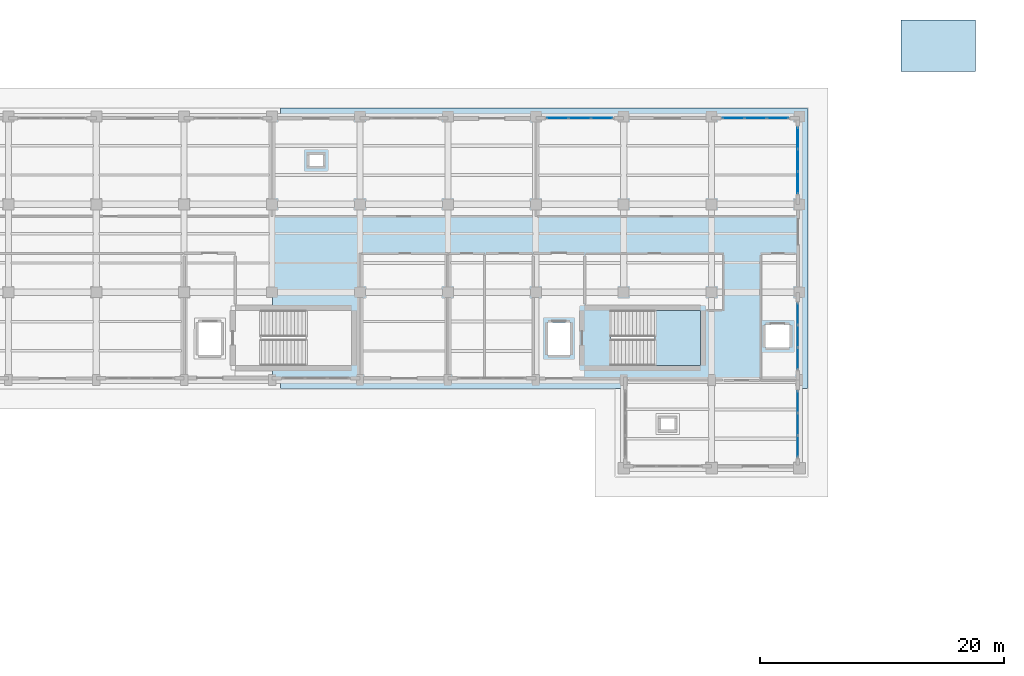
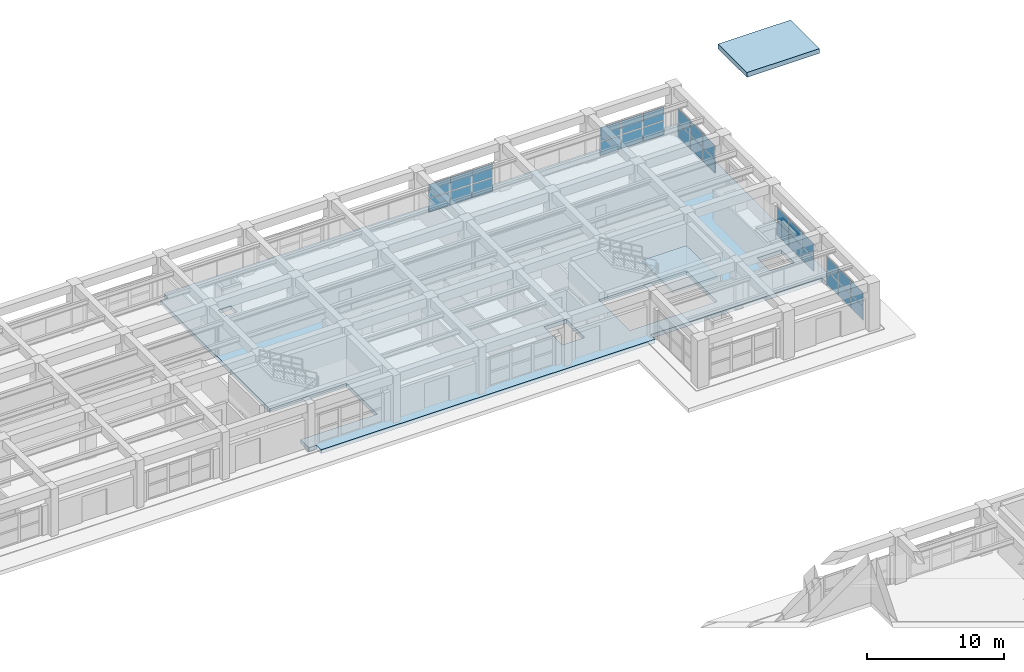
# One storey, part 39 of 64: 30 plates, 3 slabs, 6 elements without a shape of their own.
"""IFC4 building model written with IfcOpenShell, lengths in metres."""

import ifcopenshell
import ifcopenshell.guid

model = None  # the IFC model being written
_history = None  # IfcOwnerHistory: only IFC2X3 demands one
_inside = {}  # id of a spatial element -> (the spatial element, [elements in it])
_under = {}  # id of a project, library or spatial element -> (it, [spatial elements below it])
_declared = {}  # id of a project -> (the project, [libraries it declares])
_typed = {}  # id of a type object -> (the type object, [elements of that type])
_made_of = {}  # id of a material, layer set ... -> (it, [elements and type objects made of it])


def new_model(schema):
    """Start an empty IFC model of exactly this schema.

    Asked for "IFC4X3", IfcOpenShell would pick the latest addendum, in which some entities
    have other attributes; the version numbers below select the first issue.
    IFC2X3 requires an IfcOwnerHistory on every rooted entity: one is made here for all.
    """
    global model, _history
    if schema == "IFC4X3":
        model = ifcopenshell.file(schema_version=(4, 3, 0, 0))
    else:
        model = ifcopenshell.file(schema=schema)
    _inside.clear()
    _under.clear()
    _declared.clear()
    _typed.clear()
    _made_of.clear()
    _history = None
    if model.schema == "IFC2X3":
        org = make("IfcOrganization", Name="unknown")
        user = make(
            "IfcPersonAndOrganization",
            ThePerson=make("IfcPerson", FamilyName="unknown"),
            TheOrganization=org,
        )
        app = make(
            "IfcApplication",
            ApplicationDeveloper=org,
            Version="unknown",
            ApplicationFullName="unknown",
            ApplicationIdentifier="unknown",
        )
        _history = make(
            "IfcOwnerHistory",
            OwningUser=user,
            OwningApplication=app,
            ChangeAction="ADDED",
            CreationDate=0,
        )
    return model


def make(cls, **values):
    """One entity of the class cls with the attributes given. An attribute that is None is left unset."""
    return model.create_entity(
        cls, **{name: value for name, value in values.items() if value is not None}
    )


def rooted(cls, **values):
    """An entity with a GlobalId (a new one), such as an element, a storey or a relation."""
    return make(cls, GlobalId=ifcopenshell.guid.new(), OwnerHistory=_history, **values)


def si_unit(unit_type, name, prefix=None):
    """IfcSIUnit, for example si_unit("LENGTHUNIT", "METRE", prefix="MILLI")."""
    return make("IfcSIUnit", UnitType=unit_type, Prefix=prefix, Name=name)


def assignment(units):
    """IfcUnitAssignment: the units of a project."""
    return None if units is None else make("IfcUnitAssignment", Units=units)


def point(xyz):
    """IfcCartesianPoint."""
    return None if xyz is None else make("IfcCartesianPoint", Coordinates=xyz)


def direction(xyz):
    """IfcDirection."""
    return None if xyz is None else make("IfcDirection", DirectionRatios=xyz)


def frame(location, z_axis=None, x_axis=None):
    """IfcAxis2Placement3D, a coordinate frame: its origin and axes. An axis left out is left unset."""
    return make(
        "IfcAxis2Placement3D",
        Location=point(location),
        Axis=direction(z_axis),
        RefDirection=direction(x_axis),
    )


def frame_2d(location, x_axis=None):
    """IfcAxis2Placement2D, a coordinate frame in the plane: its origin and x axis."""
    return make(
        "IfcAxis2Placement2D", Location=point(location), RefDirection=direction(x_axis)
    )


def origin():
    """The frame at (0, 0, 0) with its axes left unset."""
    return frame((0.0, 0.0, 0.0))


def origin_2d():
    """The frame at (0, 0) in the plane with its x axis left unset."""
    return frame_2d((0.0, 0.0))


def place(relative_to, where):
    """IfcLocalPlacement: puts the frame where relative to a parent placement (None: the world)."""
    return make(
        "IfcLocalPlacement", PlacementRelTo=relative_to, RelativePlacement=where
    )


def context(
    kind, dimensions, precision=None, world=None, true_north=None, identifier=None
):
    """IfcGeometricRepresentationContext, for example the 3D "Model" context."""
    return make(
        "IfcGeometricRepresentationContext",
        ContextIdentifier=identifier,
        ContextType=kind,
        CoordinateSpaceDimension=dimensions,
        Precision=precision,
        WorldCoordinateSystem=world,
        TrueNorth=true_north,
    )


def subcontext(parent, identifier, kind, view, scale=None):
    """IfcGeometricRepresentationSubContext, for example "Body" below "Model"."""
    return make(
        "IfcGeometricRepresentationSubContext",
        ContextIdentifier=identifier,
        ContextType=kind,
        ParentContext=parent,
        TargetScale=scale,
        TargetView=view,
    )


def project(units=None, contexts=None):
    """IfcProject with its units and contexts."""
    return rooted(
        "IfcProject",
        Name="project",
        RepresentationContexts=contexts,
        UnitsInContext=assignment(units),
    )


def spatial(cls, under=None, at=None, **own):
    """A site, building, storey or space (cls), placed at a placement, below another one or the project."""
    s = rooted(cls, ObjectPlacement=at, **own)
    if under is not None:
        _under.setdefault(under.id(), (under, []))[1].append(s)
    return s


def polyline(points):
    """IfcPolyline through the points."""
    return make("IfcPolyline", Points=[point(p) for p in points])


def profile(cls, at=None, kind="AREA", **sizes):
    """A parametric profile (cls). Its sizes go by their IFC names, for example OverallWidth=200.0."""
    return make(cls, ProfileType=kind, Position=at, **sizes)


def rectangle(**sizes):
    """IfcRectangleProfileDef."""
    return profile("IfcRectangleProfileDef", **sizes)


def outline(outer, holes=None, kind="AREA"):
    """IfcArbitraryClosedProfileDef: a profile drawn as a closed curve; with holes, ...WithVoids."""
    if holes is None:
        return make("IfcArbitraryClosedProfileDef", ProfileType=kind, OuterCurve=outer)
    return make(
        "IfcArbitraryProfileDefWithVoids",
        ProfileType=kind,
        OuterCurve=outer,
        InnerCurves=holes,
    )


def extrude(swept, where, along, depth):
    """IfcExtrudedAreaSolid: the profile swept, set in the frame where, extruded along a direction by depth."""
    return make(
        "IfcExtrudedAreaSolid",
        SweptArea=swept,
        Position=where,
        ExtrudedDirection=direction(along),
        Depth=depth,
    )


def shape(context_of_items, identifier, shape_type, items):
    """IfcShapeRepresentation: the items that make up one representation, for example the "Body"."""
    return make(
        "IfcShapeRepresentation",
        ContextOfItems=context_of_items,
        RepresentationIdentifier=identifier,
        RepresentationType=shape_type,
        Items=items,
    )


def material(Name=None, Category=None):
    """IfcMaterial."""
    return make("IfcMaterial", Name=Name, Category=Category)


def layer(
    of_material, thickness, ventilated=None, Name=None, Category=None, Priority=None
):
    """IfcMaterialLayer: one layer of a wall or slab, of a material (None: an air gap)."""
    return make(
        "IfcMaterialLayer",
        Material=of_material,
        LayerThickness=thickness,
        IsVentilated=ventilated,
        Name=Name,
        Category=Category,
        Priority=Priority,
    )


def layer_set(layers, Name=None):
    """IfcMaterialLayerSet."""
    return make("IfcMaterialLayerSet", MaterialLayers=layers, LayerSetName=Name)


def made_of(thing, what):
    """Note that an element or type object is made of a material, layer set ...; save() writes the relation."""
    if what is not None:
        _made_of.setdefault(what.id(), (what, []))[1].append(thing)
    return thing


def type_object(cls, material=None, **own):
    """A type object (cls), such as IfcWallType, which elements share."""
    return made_of(rooted(cls, **own), material)


def element(
    cls,
    number,
    at=None,
    inside=None,
    cuts=None,
    type_object=None,
    material=None,
    context=None,
    identifier="Body",
    shape_type=None,
    held_by="IfcProductDefinitionShape",
    body=None,
    shapes=None,
    **own,
):
    """One element of the class cls, such as IfcWall. Its Tag is "e" and its number.

    at: its placement. inside: the storey or other place that contains it. cuts: it is an
    opening in that element (IfcRelVoidsElement). A single representation is given by context,
    identifier, shape_type and body (its items); several are given by shapes. held_by: the class
    of the entity that holds the representations. save() writes the other relations.
    """
    e = rooted(cls, Tag="e%d" % number, ObjectPlacement=at, **own)
    if body is not None:
        shapes = [shape(context, identifier, shape_type, body)]
    if shapes is not None:
        e.Representation = make(held_by, Representations=shapes)
    if inside is not None:
        _inside.setdefault(inside.id(), (inside, []))[1].append(e)
    if cuts is not None:
        rooted(
            "IfcRelVoidsElement", RelatingBuildingElement=cuts, RelatedOpeningElement=e
        )
    if type_object is not None:
        _typed.setdefault(type_object.id(), (type_object, []))[1].append(e)
    return made_of(e, material)


def aggregate(whole, parts):
    """IfcRelAggregates: a whole, such as a stair, and the parts it consists of."""
    return rooted("IfcRelAggregates", RelatingObject=whole, RelatedObjects=parts)


def save(model, path):
    """Write the relations noted so far, then the file.

    IfcRelAggregates (storeys below a building ...), IfcRelContainedInSpatialStructure (elements
    in a storey), IfcRelDefinesByType, IfcRelAssociatesMaterial and IfcRelDeclares: one each for
    every whole, place, type object, material and project.
    """
    for whole, parts in _under.values():
        aggregate(whole, parts)
    for where, things in _inside.values():
        rooted(
            "IfcRelContainedInSpatialStructure",
            RelatedElements=things,
            RelatingStructure=where,
        )
    for kind, things in _typed.values():
        rooted("IfcRelDefinesByType", RelatedObjects=things, RelatingType=kind)
    for what, things in _made_of.values():
        rooted("IfcRelAssociatesMaterial", RelatedObjects=things, RelatingMaterial=what)
    for by, libraries in _declared.values():
        rooted("IfcRelDeclares", RelatingContext=by, RelatedDefinitions=libraries)
    model.write(path)


model = new_model("IFC4")

# Units and contexts
model_context = context("Model", 3, precision=1e-05, world=origin(), true_north=direction((0.0, 1.0)))
body_context = subcontext(model_context, "Body", "Model", "MODEL_VIEW")
ifc_project = project(units=[si_unit("LENGTHUNIT", "METRE"), si_unit("AREAUNIT", "SQUARE_METRE"), si_unit("VOLUMEUNIT", "CUBIC_METRE"), si_unit("PLANEANGLEUNIT", "RADIAN"), si_unit("MASSUNIT", "GRAM", prefix="KILO")], contexts=[model_context])

# Site, building, storey
site_placement = place(None, origin())
site = spatial("IfcSite", under=ifc_project, at=site_placement, CompositionType="ELEMENT")
building_placement = place(site_placement, origin())
building = spatial("IfcBuilding", under=site, at=building_placement, Name="Solenvale Faculty of Natural Sciences", CompositionType="ELEMENT")
storey_placement = place(building_placement, origin())
storey = spatial("IfcBuildingStorey", under=building, at=storey_placement, Name="L00", CompositionType="ELEMENT", Elevation=0.0)

# Curtain wall, plates
ifc_material_1 = material(Name="Anodised bronze aluminium", Category="aluminium")
ifc_layer_1 = layer(ifc_material_1, 0.179931640625)
ifc_layer_set_1 = layer_set([ifc_layer_1], Name="Anodised bronze aluminium")
curtain_wall_type = type_object("IfcCurtainWallType", Name="CW-TWR-MOD", PredefinedType="USERDEFINED", material=ifc_layer_set_1)
curtain_wall_1_placement = place(storey_placement, origin())
curtain_wall_1 = element("IfcCurtainWall", 1, at=curtain_wall_1_placement, inside=storey, type_object=curtain_wall_type, Name="L00 Curtain Wall CW-L00-P1-E15-B1", ObjectType="UNITISED CURTAIN WALL", PredefinedType="USERDEFINED")
ifc_material_2 = material(Name="Triple low-E insulated glass", Category="glass")
ifc_layer_2 = layer(ifc_material_2, 0.031982421875)
ifc_layer_set_2 = layer_set([ifc_layer_2], Name="Triple low-E insulated glass")
plate_type_1 = type_object("IfcPlateType", Name="CWP-PNL-32", PredefinedType="CURTAIN_PANEL", material=ifc_layer_set_2)
plate_1_placement = place(storey_placement, frame((151.0576171875, 88.185302734375, 0.074951171875), z_axis=(0.0, 0.0, 1.0), x_axis=(0.0, 1.0, 0.0)))
plate_1 = element("IfcPlate", 2, at=plate_1_placement, type_object=plate_type_1, Name="CW-04 panel 1.1", PredefinedType="CURTAIN_PANEL", context=body_context, shape_type="SweptSolid", body=[
    extrude(rectangle(XDim=1.720947265625, YDim=0.031982421875, at=origin_2d()), origin(), (0.0, 0.0, 1.0), 1.1875),
])
plate_2_placement = place(storey_placement, frame((151.0576171875, 88.185302734375, 1.33740234375), z_axis=(0.0, 0.0, 1.0), x_axis=(0.0, 1.0, 0.0)))
plate_2 = element("IfcPlate", 3, at=plate_2_placement, type_object=plate_type_1, Name="CW-04 panel 1.2", PredefinedType="CURTAIN_PANEL", context=body_context, shape_type="SweptSolid", body=[
    extrude(rectangle(XDim=1.720947265625, YDim=0.031982421875, at=origin_2d()), origin(), (0.0, 0.0, 1.0), 1.1875),
])
plate_3_placement = place(storey_placement, frame((151.0576171875, 90.0, 0.074951171875), z_axis=(0.0, 0.0, 1.0), x_axis=(0.0, 1.0, 0.0)))
plate_3 = element("IfcPlate", 4, at=plate_3_placement, type_object=plate_type_1, Name="CW-04 panel 2.1", PredefinedType="CURTAIN_PANEL", context=body_context, shape_type="SweptSolid", body=[
    extrude(rectangle(XDim=1.75830078125, YDim=0.031982421875, at=origin_2d()), origin(), (0.0, 0.0, 1.0), 1.1875),
])
plate_4_placement = place(storey_placement, frame((151.0576171875, 90.0, 1.33740234375), z_axis=(0.0, 0.0, 1.0), x_axis=(0.0, 1.0, 0.0)))
plate_4 = element("IfcPlate", 5, at=plate_4_placement, type_object=plate_type_1, Name="CW-04 panel 2.2", PredefinedType="CURTAIN_PANEL", context=body_context, shape_type="SweptSolid", body=[
    extrude(rectangle(XDim=1.75830078125, YDim=0.031982421875, at=origin_2d()), origin(), (0.0, 0.0, 1.0), 1.1875),
])
plate_5_placement = place(storey_placement, frame((151.0576171875, 91.814697265625, 0.074951171875), z_axis=(0.0, 0.0, 1.0), x_axis=(0.0, 1.0, 0.0)))
plate_5 = element("IfcPlate", 6, at=plate_5_placement, type_object=plate_type_1, Name="CW-04 panel 3.1", PredefinedType="CURTAIN_PANEL", context=body_context, shape_type="SweptSolid", body=[
    extrude(rectangle(XDim=1.720947265625, YDim=0.031982421875, at=origin_2d()), origin(), (0.0, 0.0, 1.0), 1.1875),
])
plate_6_placement = place(storey_placement, frame((151.0576171875, 91.814697265625, 1.33740234375), z_axis=(0.0, 0.0, 1.0), x_axis=(0.0, 1.0, 0.0)))
plate_6 = element("IfcPlate", 7, at=plate_6_placement, type_object=plate_type_1, Name="CW-04 panel 3.2", PredefinedType="CURTAIN_PANEL", context=body_context, shape_type="SweptSolid", body=[
    extrude(rectangle(XDim=1.720947265625, YDim=0.031982421875, at=origin_2d()), origin(), (0.0, 0.0, 1.0), 1.1875),
])
aggregate(curtain_wall_1, [plate_1, plate_2, plate_3, plate_4, plate_5, plate_6])

curtain_wall_2_placement = place(storey_placement, origin())
curtain_wall_2 = element("IfcCurtainWall", 8, at=curtain_wall_2_placement, inside=storey, type_object=curtain_wall_type, Name="L00 Curtain Wall CW-L00-P1-E16-B1", ObjectType="UNITISED CURTAIN WALL", PredefinedType="USERDEFINED")
ifc_layer_3 = layer(ifc_material_2, 0.035888671875)
ifc_layer_set_3 = layer_set([ifc_layer_3], Name="Triple low-E insulated glass")
plate_type_2 = type_object("IfcPlateType", Name="CWP-PNL-36", PredefinedType="CURTAIN_PANEL", material=ifc_layer_set_3)
plate_7_placement = place(storey_placement, frame((151.0576171875, 95.385498046875, 0.074951171875), z_axis=(0.0, 0.0, 1.0), x_axis=(0.0, 1.0, 0.0)))
plate_7 = element("IfcPlate", 9, at=plate_7_placement, type_object=plate_type_2, Name="CW-04 panel 1.1", PredefinedType="CURTAIN_PANEL", context=body_context, shape_type="SweptSolid", body=[
    extrude(rectangle(XDim=1.720947265625, YDim=0.035888671875, at=origin_2d()), origin(), (0.0, 0.0, 1.0), 1.1875),
])
plate_8_placement = place(storey_placement, frame((151.0576171875, 95.385498046875, 1.33740234375), z_axis=(0.0, 0.0, 1.0), x_axis=(0.0, 1.0, 0.0)))
plate_8 = element("IfcPlate", 10, at=plate_8_placement, type_object=plate_type_2, Name="CW-04 panel 1.2", PredefinedType="CURTAIN_PANEL", context=body_context, shape_type="SweptSolid", body=[
    extrude(rectangle(XDim=1.720947265625, YDim=0.035888671875, at=origin_2d()), origin(), (0.0, 0.0, 1.0), 1.1875),
])
plate_9_placement = place(storey_placement, frame((151.0576171875, 97.199951171875, 0.074951171875), z_axis=(0.0, 0.0, 1.0), x_axis=(0.0, 1.0, 0.0)))
plate_9 = element("IfcPlate", 11, at=plate_9_placement, type_object=plate_type_2, Name="CW-04 panel 2.1", PredefinedType="CURTAIN_PANEL", context=body_context, shape_type="SweptSolid", body=[
    extrude(rectangle(XDim=1.75830078125, YDim=0.035888671875, at=origin_2d()), origin(), (0.0, 0.0, 1.0), 1.1875),
])
plate_10_placement = place(storey_placement, frame((151.0576171875, 97.199951171875, 1.33740234375), z_axis=(0.0, 0.0, 1.0), x_axis=(0.0, 1.0, 0.0)))
plate_10 = element("IfcPlate", 12, at=plate_10_placement, type_object=plate_type_2, Name="CW-04 panel 2.2", PredefinedType="CURTAIN_PANEL", context=body_context, shape_type="SweptSolid", body=[
    extrude(rectangle(XDim=1.75830078125, YDim=0.035888671875, at=origin_2d()), origin(), (0.0, 0.0, 1.0), 1.1875),
])
plate_11_placement = place(storey_placement, frame((151.0576171875, 99.0146484375, 0.074951171875), z_axis=(0.0, 0.0, 1.0), x_axis=(0.0, 1.0, 0.0)))
plate_11 = element("IfcPlate", 13, at=plate_11_placement, type_object=plate_type_2, Name="CW-04 panel 3.1", PredefinedType="CURTAIN_PANEL", context=body_context, shape_type="SweptSolid", body=[
    extrude(rectangle(XDim=1.720947265625, YDim=0.035888671875, at=origin_2d()), origin(), (0.0, 0.0, 1.0), 1.1875),
])
plate_12_placement = place(storey_placement, frame((151.0576171875, 99.0146484375, 1.33740234375), z_axis=(0.0, 0.0, 1.0), x_axis=(0.0, 1.0, 0.0)))
plate_12 = element("IfcPlate", 14, at=plate_12_placement, type_object=plate_type_2, Name="CW-04 panel 3.2", PredefinedType="CURTAIN_PANEL", context=body_context, shape_type="SweptSolid", body=[
    extrude(rectangle(XDim=1.720947265625, YDim=0.035888671875, at=origin_2d()), origin(), (0.0, 0.0, 1.0), 1.1875),
])
aggregate(curtain_wall_2, [plate_7, plate_8, plate_9, plate_10, plate_11, plate_12])

curtain_wall_3_placement = place(storey_placement, origin())
curtain_wall_3 = element("IfcCurtainWall", 15, at=curtain_wall_3_placement, inside=storey, type_object=curtain_wall_type, Name="L00 Curtain Wall CW-L00-P1-E17-B1", ObjectType="UNITISED CURTAIN WALL", PredefinedType="USERDEFINED")
ifc_layer_4 = layer(ifc_material_2, 0.0400390625)
ifc_layer_set_4 = layer_set([ifc_layer_4], Name="Triple low-E insulated glass")
plate_type_3 = type_object("IfcPlateType", Name="CWP-PNL-40", PredefinedType="CURTAIN_PANEL", material=ifc_layer_set_4)
plate_13_placement = place(storey_placement, frame((149.41455078125, 115.0576171875, 0.074951171875), z_axis=(0.0, 0.0, 1.0), x_axis=(-1.0, 0.0, 0.0)))
plate_13 = element("IfcPlate", 16, at=plate_13_placement, type_object=plate_type_3, Name="CW-04 panel 1.1", PredefinedType="CURTAIN_PANEL", context=body_context, shape_type="SweptSolid", body=[
    extrude(rectangle(XDim=1.720947265625, YDim=0.0400390625, at=origin_2d()), origin(), (0.0, 0.0, 1.0), 1.1875),
])
plate_14_placement = place(storey_placement, frame((149.41455078125, 115.0576171875, 1.33740234375), z_axis=(0.0, 0.0, 1.0), x_axis=(-1.0, 0.0, 0.0)))
plate_14 = element("IfcPlate", 17, at=plate_14_placement, type_object=plate_type_3, Name="CW-04 panel 1.2", PredefinedType="CURTAIN_PANEL", context=body_context, shape_type="SweptSolid", body=[
    extrude(rectangle(XDim=1.720947265625, YDim=0.0400390625, at=origin_2d()), origin(), (0.0, 0.0, 1.0), 1.1875),
])
plate_15_placement = place(storey_placement, frame((147.60009765625, 115.0576171875, 0.074951171875), z_axis=(0.0, 0.0, 1.0), x_axis=(-1.0, 0.0, 0.0)))
plate_15 = element("IfcPlate", 18, at=plate_15_placement, type_object=plate_type_3, Name="CW-04 panel 2.1", PredefinedType="CURTAIN_PANEL", context=body_context, shape_type="SweptSolid", body=[
    extrude(rectangle(XDim=1.75830078125, YDim=0.0400390625, at=origin_2d()), origin(), (0.0, 0.0, 1.0), 1.1875),
])
plate_16_placement = place(storey_placement, frame((147.60009765625, 115.0576171875, 1.33740234375), z_axis=(0.0, 0.0, 1.0), x_axis=(-1.0, 0.0, 0.0)))
plate_16 = element("IfcPlate", 19, at=plate_16_placement, type_object=plate_type_3, Name="CW-04 panel 2.2", PredefinedType="CURTAIN_PANEL", context=body_context, shape_type="SweptSolid", body=[
    extrude(rectangle(XDim=1.75830078125, YDim=0.0400390625, at=origin_2d()), origin(), (0.0, 0.0, 1.0), 1.1875),
])
plate_17_placement = place(storey_placement, frame((145.785400390625, 115.0576171875, 0.074951171875), z_axis=(0.0, 0.0, 1.0), x_axis=(-1.0, 0.0, 0.0)))
plate_17 = element("IfcPlate", 20, at=plate_17_placement, type_object=plate_type_3, Name="CW-04 panel 3.1", PredefinedType="CURTAIN_PANEL", context=body_context, shape_type="SweptSolid", body=[
    extrude(rectangle(XDim=1.720947265625, YDim=0.0400390625, at=origin_2d()), origin(), (0.0, 0.0, 1.0), 1.1875),
])
plate_18_placement = place(storey_placement, frame((145.785400390625, 115.0576171875, 1.33740234375), z_axis=(0.0, 0.0, 1.0), x_axis=(-1.0, 0.0, 0.0)))
plate_18 = element("IfcPlate", 21, at=plate_18_placement, type_object=plate_type_3, Name="CW-04 panel 3.2", PredefinedType="CURTAIN_PANEL", context=body_context, shape_type="SweptSolid", body=[
    extrude(rectangle(XDim=1.720947265625, YDim=0.0400390625, at=origin_2d()), origin(), (0.0, 0.0, 1.0), 1.1875),
])
aggregate(curtain_wall_3, [plate_13, plate_14, plate_15, plate_16, plate_17, plate_18])

curtain_wall_4_placement = place(storey_placement, origin())
curtain_wall_4 = element("IfcCurtainWall", 22, at=curtain_wall_4_placement, inside=storey, type_object=curtain_wall_type, Name="L00 Curtain Wall CW-L00-P1-E16-B3", ObjectType="UNITISED CURTAIN WALL", PredefinedType="USERDEFINED")
ifc_layer_5 = layer(ifc_material_2, 0.0439453125)
ifc_layer_set_5 = layer_set([ifc_layer_5], Name="Triple low-E insulated glass")
plate_type_4 = type_object("IfcPlateType", Name="CWP-PNL-44", PredefinedType="CURTAIN_PANEL", material=ifc_layer_set_5)
plate_19_placement = place(storey_placement, frame((151.0576171875, 109.785400390625, 0.074951171875), z_axis=(0.0, 0.0, 1.0), x_axis=(0.0, 1.0, 0.0)))
plate_19 = element("IfcPlate", 23, at=plate_19_placement, type_object=plate_type_4, Name="CW-04 panel 1.1", PredefinedType="CURTAIN_PANEL", context=body_context, shape_type="SweptSolid", body=[
    extrude(rectangle(XDim=1.720947265625, YDim=0.0439453125, at=origin_2d()), origin(), (0.0, 0.0, 1.0), 1.1875),
])
plate_20_placement = place(storey_placement, frame((151.0576171875, 109.785400390625, 1.33740234375), z_axis=(0.0, 0.0, 1.0), x_axis=(0.0, 1.0, 0.0)))
plate_20 = element("IfcPlate", 24, at=plate_20_placement, type_object=plate_type_4, Name="CW-04 panel 1.2", PredefinedType="CURTAIN_PANEL", context=body_context, shape_type="SweptSolid", body=[
    extrude(rectangle(XDim=1.720947265625, YDim=0.0439453125, at=origin_2d()), origin(), (0.0, 0.0, 1.0), 1.1875),
])
plate_21_placement = place(storey_placement, frame((151.0576171875, 111.60009765625, 0.074951171875), z_axis=(0.0, 0.0, 1.0), x_axis=(0.0, 1.0, 0.0)))
plate_21 = element("IfcPlate", 25, at=plate_21_placement, type_object=plate_type_4, Name="CW-04 panel 2.1", PredefinedType="CURTAIN_PANEL", context=body_context, shape_type="SweptSolid", body=[
    extrude(rectangle(XDim=1.75830078125, YDim=0.0439453125, at=origin_2d()), origin(), (0.0, 0.0, 1.0), 1.1875),
])
plate_22_placement = place(storey_placement, frame((151.0576171875, 111.60009765625, 1.33740234375), z_axis=(0.0, 0.0, 1.0), x_axis=(0.0, 1.0, 0.0)))
plate_22 = element("IfcPlate", 26, at=plate_22_placement, type_object=plate_type_4, Name="CW-04 panel 2.2", PredefinedType="CURTAIN_PANEL", context=body_context, shape_type="SweptSolid", body=[
    extrude(rectangle(XDim=1.75830078125, YDim=0.0439453125, at=origin_2d()), origin(), (0.0, 0.0, 1.0), 1.1875),
])
plate_23_placement = place(storey_placement, frame((151.0576171875, 113.41455078125, 0.074951171875), z_axis=(0.0, 0.0, 1.0), x_axis=(0.0, 1.0, 0.0)))
plate_23 = element("IfcPlate", 27, at=plate_23_placement, type_object=plate_type_4, Name="CW-04 panel 3.1", PredefinedType="CURTAIN_PANEL", context=body_context, shape_type="SweptSolid", body=[
    extrude(rectangle(XDim=1.720947265625, YDim=0.0439453125, at=origin_2d()), origin(), (0.0, 0.0, 1.0), 1.1875),
])
plate_24_placement = place(storey_placement, frame((151.0576171875, 113.41455078125, 1.33740234375), z_axis=(0.0, 0.0, 1.0), x_axis=(0.0, 1.0, 0.0)))
plate_24 = element("IfcPlate", 28, at=plate_24_placement, type_object=plate_type_4, Name="CW-04 panel 3.2", PredefinedType="CURTAIN_PANEL", context=body_context, shape_type="SweptSolid", body=[
    extrude(rectangle(XDim=1.720947265625, YDim=0.0439453125, at=origin_2d()), origin(), (0.0, 0.0, 1.0), 1.1875),
])
aggregate(curtain_wall_4, [plate_19, plate_20, plate_21, plate_22, plate_23, plate_24])

curtain_wall_5_placement = place(storey_placement, origin())
curtain_wall_5 = element("IfcCurtainWall", 29, at=curtain_wall_5_placement, inside=storey, type_object=curtain_wall_type, Name="L00 Curtain Wall CW-L00-P1-E17-B3", ObjectType="UNITISED CURTAIN WALL", PredefinedType="USERDEFINED")
ifc_layer_6 = layer(ifc_material_1, 0.048095703125)
ifc_layer_set_6 = layer_set([ifc_layer_6], Name="Anodised bronze aluminium")
plate_type_5 = type_object("IfcPlateType", Name="CWP-PNL-48", PredefinedType="CURTAIN_PANEL", material=ifc_layer_set_6)
plate_25_placement = place(storey_placement, frame((135.0146484375, 115.0576171875, 0.074951171875), z_axis=(0.0, 0.0, 1.0), x_axis=(-1.0, 0.0, 0.0)))
plate_25 = element("IfcPlate", 30, at=plate_25_placement, type_object=plate_type_5, Name="CW-04 panel 1.1", PredefinedType="CURTAIN_PANEL", context=body_context, shape_type="SweptSolid", body=[
    extrude(rectangle(XDim=1.720947265625, YDim=0.048095703125, at=origin_2d()), origin(), (0.0, 0.0, 1.0), 1.1875),
])
plate_26_placement = place(storey_placement, frame((135.0146484375, 115.0576171875, 1.33740234375), z_axis=(0.0, 0.0, 1.0), x_axis=(-1.0, 0.0, 0.0)))
plate_26 = element("IfcPlate", 31, at=plate_26_placement, type_object=plate_type_5, Name="CW-04 panel 1.2", PredefinedType="CURTAIN_PANEL", context=body_context, shape_type="SweptSolid", body=[
    extrude(rectangle(XDim=1.720947265625, YDim=0.048095703125, at=origin_2d()), origin(), (0.0, 0.0, 1.0), 1.1875),
])
plate_27_placement = place(storey_placement, frame((133.199951171875, 115.0576171875, 0.074951171875), z_axis=(0.0, 0.0, 1.0), x_axis=(-1.0, 0.0, 0.0)))
plate_27 = element("IfcPlate", 32, at=plate_27_placement, type_object=plate_type_5, Name="CW-04 panel 2.1", PredefinedType="CURTAIN_PANEL", context=body_context, shape_type="SweptSolid", body=[
    extrude(rectangle(XDim=1.75830078125, YDim=0.048095703125, at=origin_2d()), origin(), (0.0, 0.0, 1.0), 1.1875),
])
plate_28_placement = place(storey_placement, frame((133.199951171875, 115.0576171875, 1.33740234375), z_axis=(0.0, 0.0, 1.0), x_axis=(-1.0, 0.0, 0.0)))
plate_28 = element("IfcPlate", 33, at=plate_28_placement, type_object=plate_type_5, Name="CW-04 panel 2.2", PredefinedType="CURTAIN_PANEL", context=body_context, shape_type="SweptSolid", body=[
    extrude(rectangle(XDim=1.75830078125, YDim=0.048095703125, at=origin_2d()), origin(), (0.0, 0.0, 1.0), 1.1875),
])
plate_29_placement = place(storey_placement, frame((131.385498046875, 115.0576171875, 0.074951171875), z_axis=(0.0, 0.0, 1.0), x_axis=(-1.0, 0.0, 0.0)))
plate_29 = element("IfcPlate", 34, at=plate_29_placement, type_object=plate_type_5, Name="CW-04 panel 3.1", PredefinedType="CURTAIN_PANEL", context=body_context, shape_type="SweptSolid", body=[
    extrude(rectangle(XDim=1.720947265625, YDim=0.048095703125, at=origin_2d()), origin(), (0.0, 0.0, 1.0), 1.1875),
])
plate_30_placement = place(storey_placement, frame((131.385498046875, 115.0576171875, 1.33740234375), z_axis=(0.0, 0.0, 1.0), x_axis=(-1.0, 0.0, 0.0)))
plate_30 = element("IfcPlate", 35, at=plate_30_placement, type_object=plate_type_5, Name="CW-04 panel 3.2", PredefinedType="CURTAIN_PANEL", context=body_context, shape_type="SweptSolid", body=[
    extrude(rectangle(XDim=1.720947265625, YDim=0.048095703125, at=origin_2d()), origin(), (0.0, 0.0, 1.0), 1.1875),
])
aggregate(curtain_wall_5, [plate_25, plate_26, plate_27, plate_28, plate_29, plate_30])

# Slabs
ifc_material_3 = material(Name="Concrete 40 MPa", Category="concrete")
ifc_layer_7 = layer(ifc_material_3, 0.35009765625)
ifc_layer_set_7 = layer_set([ifc_layer_7], Name="Concrete 40 MPa")
slab_type_1 = type_object("IfcSlabType", Name="SL-BASE-350", PredefinedType="BASESLAB", material=ifc_layer_set_7)
slab_1_placement = place(storey_placement, frame((0.0, 0.0, -0.419921875)))
element("IfcSlab", 36, at=slab_1_placement, inside=storey, type_object=slab_type_1, Name="Vehicle Ramp Street Apron", PredefinedType="BASESLAB", context=body_context, shape_type="SweptSolid", body=[
    extrude(outline(polyline([(159.5, 118.89990234375), (165.60009765625, 118.89990234375), (165.60009765625, 123.10009765625), (159.5, 123.10009765625), (159.5, 118.89990234375)])), origin(), (0.0, 0.0, 1.0), 0.419921875),
])
ifc_layer_8 = layer(ifc_material_3, 0.35009765625)
ifc_layer_set_8 = layer_set([ifc_layer_8], Name="Concrete 40 MPa")
slab_type_2 = type_object("IfcSlabType", Name="SL-FLR-350", PredefinedType="FLOOR", material=ifc_layer_set_8)
slab_2_placement = place(storey_placement, frame((0.0, 0.0, -0.35009765625)))
element("IfcSlab", 37, at=slab_2_placement, inside=storey, type_object=slab_type_2, Name="L00 V5 Floor Slab 2.1", PredefinedType="FLOOR", context=body_context, shape_type="SweptSolid", body=[
    extrude(outline(polyline([(108.054931640625, 93.580078125), (108.037353515625, 93.58740234375), (108.030029296875, 93.60498046875), (108.030029296875, 94.77490234375), (108.03564453125, 94.791015625), (108.050048828125, 94.799560546875), (114.5, 94.800537109375), (114.5, 99.300048828125), (108.054931640625, 99.300048828125), (108.031005859375, 99.317626953125), (108.030029296875, 115.195068359375), (108.037353515625, 115.212646484375), (108.054931640625, 115.219970703125), (108.679931640625, 115.219970703125), (108.679931640625, 115.85498046875), (108.693115234375, 115.876953125), (151.85498046875, 115.8798828125), (151.876953125, 115.86669921875), (151.8798828125, 92.945068359375), (151.86669921875, 92.923095703125), (151.2451171875, 92.919921875), (151.227294921875, 92.92724609375), (151.219970703125, 92.945068359375), (151.219970703125, 93.55029296875), (151.214599609375, 93.563720703125), (151.2001953125, 93.570068359375), (136.80029296875, 93.570068359375), (136.786376953125, 93.564697265625), (136.780029296875, 93.55029296875), (136.77978515625, 92.9423828125), (136.77099609375, 92.92578125), (136.7548828125, 92.919921875), (108.705078125, 92.919921875), (108.687255859375, 92.92724609375), (108.679931640625, 92.945068359375), (108.679931640625, 93.580078125), (108.054931640625, 93.580078125)]), holes=[polyline([(148.385009765625, 96.260009765625), (150.4150390625, 96.260009765625), (150.4150390625, 98.139892578125), (148.385009765625, 98.139892578125), (148.385009765625, 96.260009765625)]), polyline([(135.739990234375, 94.800048828125), (143.10009765625, 94.800048828125), (143.10009765625, 99.300048828125), (135.739990234375, 99.300048828125), (135.739990234375, 94.800048828125)]), polyline([(130.56005859375, 95.659912109375), (132.43994140625, 95.659912109375), (132.43994140625, 98.340087890625), (130.56005859375, 98.340087890625), (130.56005859375, 95.659912109375)]), polyline([(111.050048828125, 111.14990234375), (112.14990234375, 111.14990234375), (112.14990234375, 112.050048828125), (111.050048828125, 112.050048828125), (111.050048828125, 111.14990234375)])]), origin(), (0.0, 0.0, 1.0), 0.35009765625),
])

# Stair, slab
stair_type = type_object("IfcStairType", Name="STR-CORE-25R", PredefinedType="DOUBLE_RETURN_STAIR", material=ifc_material_3)
stair_placement = place(storey_placement, origin())
stair = element("IfcStair", 38, at=stair_placement, inside=storey, type_object=stair_type, Name="L00 Protected Exit Stair ST-05", PredefinedType="DOUBLE_RETURN_STAIR")
ifc_layer_9 = layer(ifc_material_3, 0.195068359375)
ifc_layer_set_9 = layer_set([ifc_layer_9], Name="Concrete 40 MPa")
slab_type_3 = type_object("IfcSlabType", Name="SL-LND-195", PredefinedType="LANDING", material=ifc_layer_set_9)
slab_3_placement = place(storey_placement, frame((0.0, 0.0, 2.050048828125)))
slab_3 = element("IfcSlab", 39, at=slab_3_placement, type_object=slab_type_3, Name="ST-05 landing 1", PredefinedType="LANDING", context=body_context, shape_type="SweptSolid", body=[
    extrude(outline(polyline([(139.340087890625, 94.800048828125), (143.10009765625, 94.800048828125), (143.10009765625, 99.300048828125), (139.340087890625, 99.300048828125), (139.340087890625, 94.800048828125)])), origin(), (0.0, 0.0, 1.0), 0.199951171875),
])
aggregate(stair, [slab_3])

save(model, "model.ifc")
